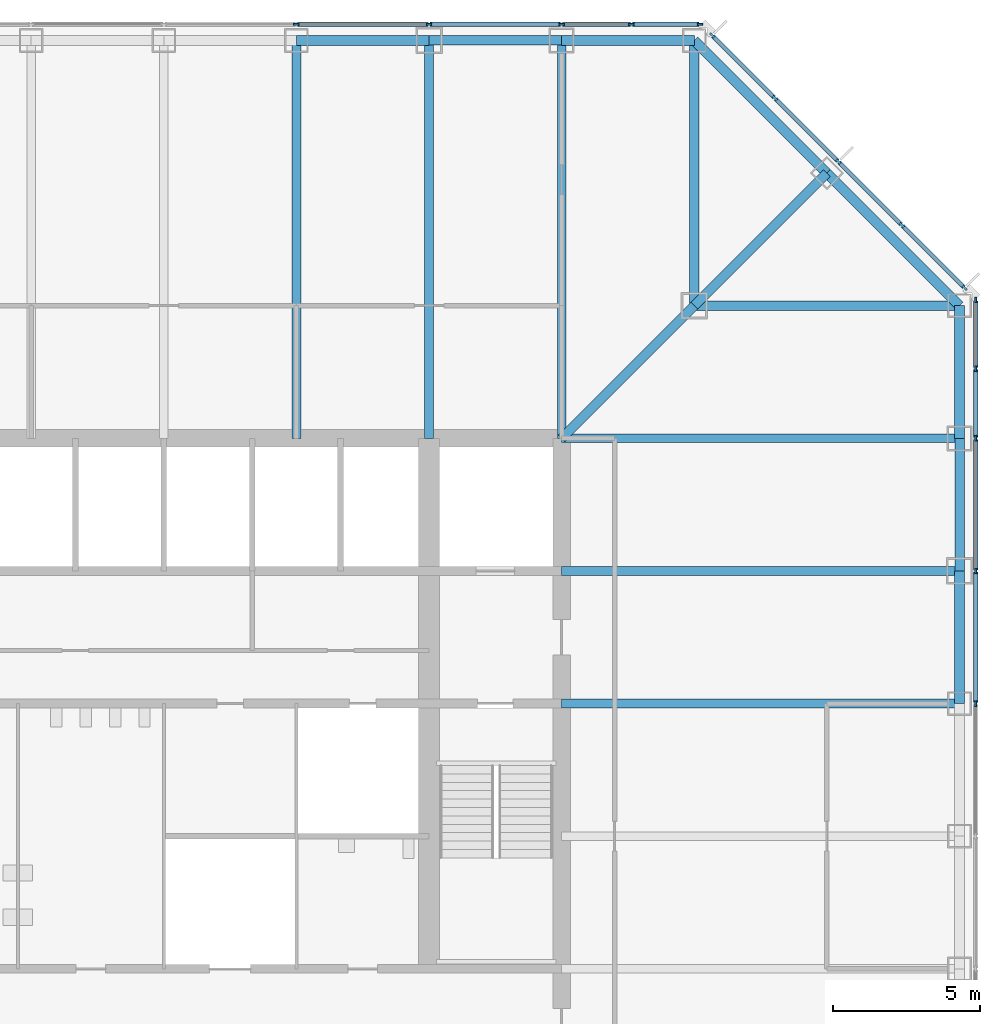
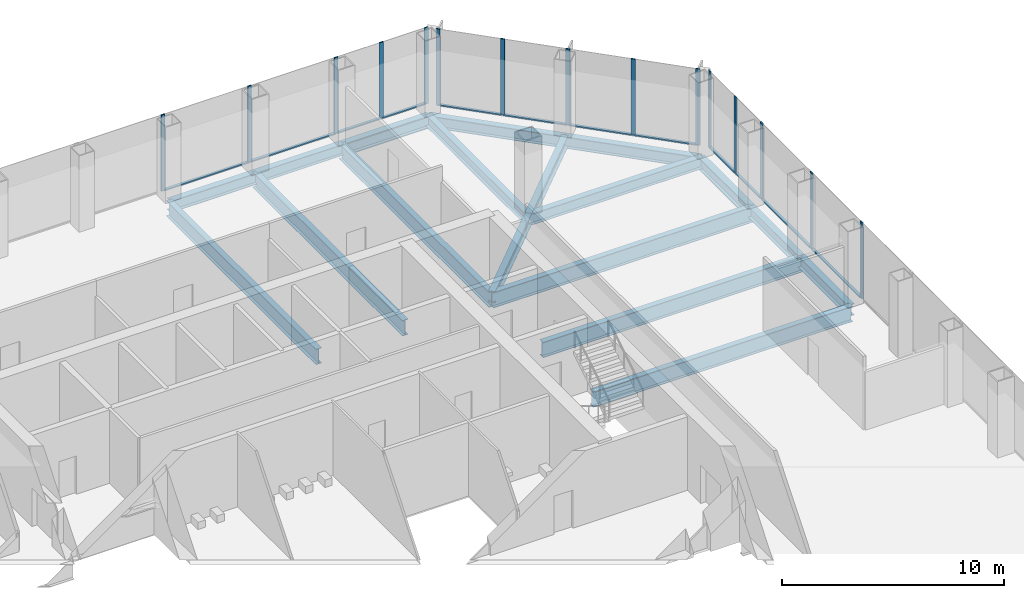
# One storey, part 6 of 12: 27 members, 18 beams, 3 elements without a shape of their own.
"""IFC4 building model written with IfcOpenShell, lengths in metres."""

import ifcopenshell
import ifcopenshell.guid

model = None  # the IFC model being written
_history = None  # IfcOwnerHistory: only IFC2X3 demands one
_inside = {}  # id of a spatial element -> (the spatial element, [elements in it])
_under = {}  # id of a project, library or spatial element -> (it, [spatial elements below it])
_declared = {}  # id of a project -> (the project, [libraries it declares])
_typed = {}  # id of a type object -> (the type object, [elements of that type])
_made_of = {}  # id of a material, layer set ... -> (it, [elements and type objects made of it])


def new_model(schema):
    """Start an empty IFC model of exactly this schema.

    Asked for "IFC4X3", IfcOpenShell would pick the latest addendum, in which some entities
    have other attributes; the version numbers below select the first issue.
    IFC2X3 requires an IfcOwnerHistory on every rooted entity: one is made here for all.
    """
    global model, _history
    if schema == "IFC4X3":
        model = ifcopenshell.file(schema_version=(4, 3, 0, 0))
    else:
        model = ifcopenshell.file(schema=schema)
    _inside.clear()
    _under.clear()
    _declared.clear()
    _typed.clear()
    _made_of.clear()
    _history = None
    if model.schema == "IFC2X3":
        org = make("IfcOrganization", Name="unknown")
        user = make(
            "IfcPersonAndOrganization",
            ThePerson=make("IfcPerson", FamilyName="unknown"),
            TheOrganization=org,
        )
        app = make(
            "IfcApplication",
            ApplicationDeveloper=org,
            Version="unknown",
            ApplicationFullName="unknown",
            ApplicationIdentifier="unknown",
        )
        _history = make(
            "IfcOwnerHistory",
            OwningUser=user,
            OwningApplication=app,
            ChangeAction="ADDED",
            CreationDate=0,
        )
    return model


def make(cls, **values):
    """One entity of the class cls with the attributes given. An attribute that is None is left unset."""
    return model.create_entity(
        cls, **{name: value for name, value in values.items() if value is not None}
    )


def rooted(cls, **values):
    """An entity with a GlobalId (a new one), such as an element, a storey or a relation."""
    return make(cls, GlobalId=ifcopenshell.guid.new(), OwnerHistory=_history, **values)


def si_unit(unit_type, name, prefix=None):
    """IfcSIUnit, for example si_unit("LENGTHUNIT", "METRE", prefix="MILLI")."""
    return make("IfcSIUnit", UnitType=unit_type, Prefix=prefix, Name=name)


def assignment(units):
    """IfcUnitAssignment: the units of a project."""
    return None if units is None else make("IfcUnitAssignment", Units=units)


def point(xyz):
    """IfcCartesianPoint."""
    return None if xyz is None else make("IfcCartesianPoint", Coordinates=xyz)


def direction(xyz):
    """IfcDirection."""
    return None if xyz is None else make("IfcDirection", DirectionRatios=xyz)


def frame(location, z_axis=None, x_axis=None):
    """IfcAxis2Placement3D, a coordinate frame: its origin and axes. An axis left out is left unset."""
    return make(
        "IfcAxis2Placement3D",
        Location=point(location),
        Axis=direction(z_axis),
        RefDirection=direction(x_axis),
    )


def frame_2d(location, x_axis=None):
    """IfcAxis2Placement2D, a coordinate frame in the plane: its origin and x axis."""
    return make(
        "IfcAxis2Placement2D", Location=point(location), RefDirection=direction(x_axis)
    )


def origin():
    """The frame at (0, 0, 0) with its axes left unset."""
    return frame((0.0, 0.0, 0.0))


def origin_2d():
    """The frame at (0, 0) in the plane with its x axis left unset."""
    return frame_2d((0.0, 0.0))


def place(relative_to, where):
    """IfcLocalPlacement: puts the frame where relative to a parent placement (None: the world)."""
    return make(
        "IfcLocalPlacement", PlacementRelTo=relative_to, RelativePlacement=where
    )


def context(
    kind, dimensions, precision=None, world=None, true_north=None, identifier=None
):
    """IfcGeometricRepresentationContext, for example the 3D "Model" context."""
    return make(
        "IfcGeometricRepresentationContext",
        ContextIdentifier=identifier,
        ContextType=kind,
        CoordinateSpaceDimension=dimensions,
        Precision=precision,
        WorldCoordinateSystem=world,
        TrueNorth=true_north,
    )


def subcontext(parent, identifier, kind, view, scale=None):
    """IfcGeometricRepresentationSubContext, for example "Body" below "Model"."""
    return make(
        "IfcGeometricRepresentationSubContext",
        ContextIdentifier=identifier,
        ContextType=kind,
        ParentContext=parent,
        TargetScale=scale,
        TargetView=view,
    )


def project(units=None, contexts=None):
    """IfcProject with its units and contexts."""
    return rooted(
        "IfcProject",
        Name="project",
        RepresentationContexts=contexts,
        UnitsInContext=assignment(units),
    )


def spatial(cls, under=None, at=None, **own):
    """A site, building, storey or space (cls), placed at a placement, below another one or the project."""
    s = rooted(cls, ObjectPlacement=at, **own)
    if under is not None:
        _under.setdefault(under.id(), (under, []))[1].append(s)
    return s


def profile(cls, at=None, kind="AREA", **sizes):
    """A parametric profile (cls). Its sizes go by their IFC names, for example OverallWidth=200.0."""
    return make(cls, ProfileType=kind, Position=at, **sizes)


def rectangle(**sizes):
    """IfcRectangleProfileDef."""
    return profile("IfcRectangleProfileDef", **sizes)


def i_section(**sizes):
    """IfcIShapeProfileDef."""
    return profile("IfcIShapeProfileDef", **sizes)


def extrude(swept, where, along, depth):
    """IfcExtrudedAreaSolid: the profile swept, set in the frame where, extruded along a direction by depth."""
    return make(
        "IfcExtrudedAreaSolid",
        SweptArea=swept,
        Position=where,
        ExtrudedDirection=direction(along),
        Depth=depth,
    )


def shape(context_of_items, identifier, shape_type, items):
    """IfcShapeRepresentation: the items that make up one representation, for example the "Body"."""
    return make(
        "IfcShapeRepresentation",
        ContextOfItems=context_of_items,
        RepresentationIdentifier=identifier,
        RepresentationType=shape_type,
        Items=items,
    )


def material(Name=None, Category=None):
    """IfcMaterial."""
    return make("IfcMaterial", Name=Name, Category=Category)


def material_profile(
    of_material, cross_section, Name=None, Category=None, Priority=None
):
    """IfcMaterialProfile: a cross section and its material."""
    return make(
        "IfcMaterialProfile",
        Name=Name,
        Material=of_material,
        Profile=cross_section,
        Priority=Priority,
        Category=Category,
    )


def profile_set(profiles, Name=None, composite=None):
    """IfcMaterialProfileSet."""
    return make(
        "IfcMaterialProfileSet",
        Name=Name,
        MaterialProfiles=profiles,
        CompositeProfile=composite,
    )


def made_of(thing, what):
    """Note that an element or type object is made of a material, layer set ...; save() writes the relation."""
    if what is not None:
        _made_of.setdefault(what.id(), (what, []))[1].append(thing)
    return thing


def type_object(cls, material=None, **own):
    """A type object (cls), such as IfcWallType, which elements share."""
    return made_of(rooted(cls, **own), material)


def element(
    cls,
    number,
    at=None,
    inside=None,
    cuts=None,
    type_object=None,
    material=None,
    context=None,
    identifier="Body",
    shape_type=None,
    held_by="IfcProductDefinitionShape",
    body=None,
    shapes=None,
    **own,
):
    """One element of the class cls, such as IfcWall. Its Tag is "e" and its number.

    at: its placement. inside: the storey or other place that contains it. cuts: it is an
    opening in that element (IfcRelVoidsElement). A single representation is given by context,
    identifier, shape_type and body (its items); several are given by shapes. held_by: the class
    of the entity that holds the representations. save() writes the other relations.
    """
    e = rooted(cls, Tag="e%d" % number, ObjectPlacement=at, **own)
    if body is not None:
        shapes = [shape(context, identifier, shape_type, body)]
    if shapes is not None:
        e.Representation = make(held_by, Representations=shapes)
    if inside is not None:
        _inside.setdefault(inside.id(), (inside, []))[1].append(e)
    if cuts is not None:
        rooted(
            "IfcRelVoidsElement", RelatingBuildingElement=cuts, RelatedOpeningElement=e
        )
    if type_object is not None:
        _typed.setdefault(type_object.id(), (type_object, []))[1].append(e)
    return made_of(e, material)


def aggregate(whole, parts):
    """IfcRelAggregates: a whole, such as a stair, and the parts it consists of."""
    return rooted("IfcRelAggregates", RelatingObject=whole, RelatedObjects=parts)


def save(model, path):
    """Write the relations noted so far, then the file.

    IfcRelAggregates (storeys below a building ...), IfcRelContainedInSpatialStructure (elements
    in a storey), IfcRelDefinesByType, IfcRelAssociatesMaterial and IfcRelDeclares: one each for
    every whole, place, type object, material and project.
    """
    for whole, parts in _under.values():
        aggregate(whole, parts)
    for where, things in _inside.values():
        rooted(
            "IfcRelContainedInSpatialStructure",
            RelatedElements=things,
            RelatingStructure=where,
        )
    for kind, things in _typed.values():
        rooted("IfcRelDefinesByType", RelatedObjects=things, RelatingType=kind)
    for what, things in _made_of.values():
        rooted("IfcRelAssociatesMaterial", RelatedObjects=things, RelatingMaterial=what)
    for by, libraries in _declared.values():
        rooted("IfcRelDeclares", RelatingContext=by, RelatedDefinitions=libraries)
    model.write(path)


model = new_model("IFC4")

# Units and contexts
model_context = context("Model", 3, precision=1e-05, world=origin(), true_north=direction((0.0, 1.0)))
body_context = subcontext(model_context, "Body", "Model", "MODEL_VIEW")
ifc_project = project(units=[si_unit("LENGTHUNIT", "METRE"), si_unit("AREAUNIT", "SQUARE_METRE"), si_unit("VOLUMEUNIT", "CUBIC_METRE"), si_unit("PLANEANGLEUNIT", "RADIAN"), si_unit("MASSUNIT", "GRAM", prefix="KILO")], contexts=[model_context])

# Site, building, storey
site_placement = place(None, origin())
site = spatial("IfcSite", under=ifc_project, at=site_placement, CompositionType="ELEMENT")
building_placement = place(site_placement, origin())
building = spatial("IfcBuilding", under=site, at=building_placement, Name="Corais Broadcast Tower", CompositionType="ELEMENT")
storey_placement = place(building_placement, frame((0.0, 0.0, 54.199951171875)))
storey = spatial("IfcBuildingStorey", under=building, at=storey_placement, Name="L11", CompositionType="ELEMENT", Elevation=54.199951171875)

# Beams
ifc_material_1 = material(Name="Steel ASTM A572 Grade 50", Category="steel")
ifc_material_profile_1 = material_profile(ifc_material_1, i_section(OverallWidth=0.323974609375, OverallDepth=0.611083984375, WebThickness=0.0126953125, FlangeThickness=0.01904296875, at=origin_2d()), Name="W610x155")
ifc_profile_set_1 = profile_set([ifc_material_profile_1], Name="Steel ASTM A572 Grade 50")
beam_type_1 = type_object("IfcBeamType", Name="Chamfer tie W610x155", PredefinedType="BEAM", material=ifc_profile_set_1)
beam_1_placement = place(storey_placement, frame((49.5, 49.5, -0.46533203125), z_axis=(-0.707106781187, -0.707106781187, 0.0), x_axis=(0.707106781187, -0.707106781187, 0.0)))
element("IfcBeam", 1, at=beam_1_placement, inside=storey, type_object=beam_type_1, Name="B5 M/14 to L/13", PredefinedType="BEAM", context=body_context, shape_type="SweptSolid", body=[
    extrude(i_section(OverallWidth=0.323974609375, OverallDepth=0.611083984375, WebThickness=0.0126953125, FlangeThickness=0.01904296875, at=origin_2d()), origin(), (0.0, 0.0, 1.0), 6.364013671875),
])
ifc_material_2 = material(Name="Steel ASTM A572 Grade 50", Category="steel")
ifc_material_profile_2 = material_profile(ifc_material_2, i_section(OverallWidth=0.323974609375, OverallDepth=0.611083984375, WebThickness=0.0126953125, FlangeThickness=0.01904296875, at=origin_2d()), Name="W610x155")
ifc_profile_set_2 = profile_set([ifc_material_profile_2], Name="Steel ASTM A572 Grade 50")
beam_type_2 = type_object("IfcBeamType", Name="Corner diagonal W610x155", PredefinedType="BEAM", material=ifc_profile_set_2)
beam_2_placement = place(storey_placement, frame((45.0, 45.0, -0.46533203125), z_axis=(-0.707106781187, -0.707106781187, 0.0), x_axis=(0.707106781187, -0.707106781187, 0.0)))
element("IfcBeam", 2, at=beam_2_placement, inside=storey, type_object=beam_type_2, Name="B6 L/13 to K/12", PredefinedType="BEAM", context=body_context, shape_type="SweptSolid", body=[
    extrude(i_section(OverallWidth=0.323974609375, OverallDepth=0.611083984375, WebThickness=0.0126953125, FlangeThickness=0.01904296875, at=origin_2d()), origin(), (0.0, 0.0, 1.0), 6.364013671875),
])
ifc_material_3 = material(Name="Steel ASTM A572 Grade 50", Category="steel")
ifc_material_profile_3 = material_profile(ifc_material_3, i_section(OverallWidth=0.323974609375, OverallDepth=0.611083984375, WebThickness=0.0126953125, FlangeThickness=0.01904296875, at=origin_2d()), Name="W610x155")
ifc_profile_set_3 = profile_set([ifc_material_profile_3], Name="Steel ASTM A572 Grade 50")
beam_type_3 = type_object("IfcBeamType", Name="Corner girder W610x155", PredefinedType="BEAM", material=ifc_profile_set_3)
for number, where, z_axis, x_axis, name in (
    (3, (45.0, 54.0, -0.46533203125), (0.0, -1.0, 0.0), (1.0, 0.0, 0.0), "B4 N/13 to L/13"),
    (4, (54.0, 45.0, -0.46533203125), (-1.0, 0.0, 0.0), (0.0, -1.0, 0.0), "B4 L/15 to L/13"),
):
    element("IfcBeam", number, at=place(storey_placement, frame(where, z_axis=z_axis, x_axis=x_axis)), inside=storey, type_object=beam_type_3, Name=name, PredefinedType="BEAM", context=body_context, shape_type="SweptSolid", body=[
        extrude(i_section(OverallWidth=0.323974609375, OverallDepth=0.611083984375, WebThickness=0.0126953125, FlangeThickness=0.01904296875, at=origin_2d()), origin(), (0.0, 0.0, 1.0), 9.0),
    ])
ifc_material_4 = material(Name="Steel ASTM A572 Grade 50", Category="steel")
ifc_material_profile_4 = material_profile(ifc_material_4, i_section(OverallWidth=0.337890625, OverallDepth=0.677978515625, WebThickness=0.029541015625, FlangeThickness=0.052978515625, at=origin_2d()), Name="W610x415")
ifc_profile_set_4 = profile_set([ifc_material_profile_4], Name="Steel ASTM A572 Grade 50")
beam_type_4 = type_object("IfcBeamType", Name="Corner spandrel W610x415", PredefinedType="BEAM", material=ifc_profile_set_4)
for number, where, z_axis, x_axis, name in (
    (5, (45.0, 54.0, -0.4990234375), (-1.0, 0.0, 0.0), (0.0, -1.0, 0.0), "SB10 N/13 to N/12"),
    (6, (54.0, 40.5, -0.4990234375), (0.0, 1.0, 0.0), (-1.0, 0.0, 0.0), "SB10 K/15 to L/15"),
):
    element("IfcBeam", number, at=place(storey_placement, frame(where, z_axis=z_axis, x_axis=x_axis)), inside=storey, type_object=beam_type_4, Name=name, PredefinedType="BEAM", context=body_context, shape_type="SweptSolid", body=[
        extrude(i_section(OverallWidth=0.337890625, OverallDepth=0.677978515625, WebThickness=0.029541015625, FlangeThickness=0.052978515625, at=origin_2d()), origin(), (0.0, 0.0, 1.0), 4.5),
    ])
ifc_material_5 = material(Name="Steel ASTM A572 Grade 50", Category="steel")
ifc_material_profile_5 = material_profile(ifc_material_5, i_section(OverallWidth=0.2939453125, OverallDepth=0.85107421875, WebThickness=0.01611328125, FlangeThickness=0.02685546875, at=origin_2d()), Name="W840x226")
ifc_profile_set_5 = profile_set([ifc_material_profile_5], Name="Steel ASTM A572 Grade 50")
beam_type_5 = type_object("IfcBeamType", Name="Floor beam W840x226", PredefinedType="BEAM", material=ifc_profile_set_5)
for number, where, z_axis, x_axis, name in (
    (7, (31.5, 54.0, -0.58544921875), (0.0, -1.0, 0.0), (1.0, 0.0, 0.0), "B1 N/10 to K/10"),
    (8, (36.0, 54.0, -0.58544921875), (0.0, -1.0, 0.0), (1.0, 0.0, 0.0), "B1 N/11 to K/11"),
    (9, (40.5, 54.0, -0.58544921875), (0.0, -1.0, 0.0), (1.0, 0.0, 0.0), "B1 N/12 to K/12"),
    (10, (54.0, 31.5, -0.58544921875), (-1.0, 0.0, 0.0), (0.0, -1.0, 0.0), "B1 H/15 to H/12"),
    (11, (54.0, 36.0, -0.58544921875), (-1.0, 0.0, 0.0), (0.0, -1.0, 0.0), "B1 J/15 to J/12"),
    (12, (54.0, 40.5, -0.58544921875), (-1.0, 0.0, 0.0), (0.0, -1.0, 0.0), "B1 K/15 to K/12"),
):
    element("IfcBeam", number, at=place(storey_placement, frame(where, z_axis=z_axis, x_axis=x_axis)), inside=storey, type_object=beam_type_5, Name=name, PredefinedType="BEAM", context=body_context, shape_type="SweptSolid", body=[
        extrude(i_section(OverallWidth=0.2939453125, OverallDepth=0.85107421875, WebThickness=0.01611328125, FlangeThickness=0.02685546875, at=origin_2d()), origin(), (0.0, 0.0, 1.0), 13.5),
    ])

# Curtain wall, members
ifc_material_6 = material(Name="Aluminium and glass", Category="aluminium")
curtain_wall_type = type_object("IfcCurtainWallType", Name="Unitised fritted curtain wall CW1", PredefinedType="NOTDEFINED", material=ifc_material_6)
curtain_wall_1_placement = place(storey_placement, origin())
curtain_wall_1 = element("IfcCurtainWall", 13, at=curtain_wall_1_placement, inside=storey, type_object=curtain_wall_type, Name="CW1 curtain wall L11 4", PredefinedType="NOTDEFINED")
ifc_material_7 = material(Name="Aluminium 6063-T6", Category="aluminium")
ifc_material_profile_6 = material_profile(ifc_material_7, rectangle(XDim=0.06494140625, YDim=0.199951171875, at=origin_2d()), Name="Mullion CW1 65x200")
ifc_profile_set_6 = profile_set([ifc_material_profile_6], Name="Aluminium 6063-T6")
member_type_1 = type_object("IfcMemberType", Name="Mullion CW1 65x200", PredefinedType="MULLION", material=ifc_profile_set_6)
member_1_placement = place(storey_placement, frame((31.5, 54.550048828125, 0.0), z_axis=(0.0, 0.0, 1.0), x_axis=(0.0, 1.0, 0.0)))
member_1 = element("IfcMember", 14, at=member_1_placement, type_object=member_type_1, Name="CW1 mullion 7", PredefinedType="MULLION", context=body_context, shape_type="SweptSolid", body=[
    extrude(rectangle(XDim=0.06494140625, YDim=0.199951171875, at=origin_2d()), origin(), (0.0, 0.0, 1.0), 4.199951171875),
])
member_2_placement = place(storey_placement, frame((36.0, 54.550048828125, 0.0), z_axis=(0.0, 0.0, 1.0), x_axis=(0.0, 1.0, 0.0)))
member_2 = element("IfcMember", 15, at=member_2_placement, type_object=member_type_1, Name="CW1 mullion 8", PredefinedType="MULLION", context=body_context, shape_type="SweptSolid", body=[
    extrude(rectangle(XDim=0.06494140625, YDim=0.199951171875, at=origin_2d()), origin(), (0.0, 0.0, 1.0), 4.199951171875),
])
member_3_placement = place(storey_placement, frame((40.5, 54.550048828125, 0.0), z_axis=(0.0, 0.0, 1.0), x_axis=(0.0, 1.0, 0.0)))
member_3 = element("IfcMember", 16, at=member_3_placement, type_object=member_type_1, Name="CW1 mullion 9", PredefinedType="MULLION", context=body_context, shape_type="SweptSolid", body=[
    extrude(rectangle(XDim=0.06494140625, YDim=0.199951171875, at=origin_2d()), origin(), (0.0, 0.0, 1.0), 4.199951171875),
])
member_4_placement = place(storey_placement, frame((42.864013671875, 54.550048828125, 0.0), z_axis=(0.0, 0.0, 1.0), x_axis=(0.0, 1.0, 0.0)))
member_4 = element("IfcMember", 17, at=member_4_placement, type_object=member_type_1, Name="CW1 mullion 10", PredefinedType="MULLION", context=body_context, shape_type="SweptSolid", body=[
    extrude(rectangle(XDim=0.06494140625, YDim=0.199951171875, at=origin_2d()), origin(), (0.0, 0.0, 1.0), 4.199951171875),
])
member_5_placement = place(storey_placement, frame((45.1953125, 54.550048828125, 0.0), z_axis=(0.0, 0.0, 1.0), x_axis=(0.0, 1.0, 0.0)))
member_5 = element("IfcMember", 18, at=member_5_placement, type_object=member_type_1, Name="CW1 mullion 11", PredefinedType="MULLION", context=body_context, shape_type="SweptSolid", body=[
    extrude(rectangle(XDim=0.06494140625, YDim=0.199951171875, at=origin_2d()), origin(), (0.0, 0.0, 1.0), 4.199951171875),
])

curtain_wall_2_placement = place(storey_placement, origin())
curtain_wall_2 = element("IfcCurtainWall", 19, at=curtain_wall_2_placement, inside=storey, type_object=curtain_wall_type, Name="CW1 curtain wall L11 5", PredefinedType="NOTDEFINED")
member_6_placement = place(storey_placement, frame((45.6044921875, 54.17333984375, 0.0), z_axis=(0.0, 0.0, 1.0), x_axis=(0.707106781187, 0.707106781187, 0.0)))
member_6 = element("IfcMember", 20, at=member_6_placement, type_object=member_type_1, Name="CW1 mullion 1", PredefinedType="MULLION", context=body_context, shape_type="SweptSolid", body=[
    extrude(rectangle(XDim=0.06494140625, YDim=0.199951171875, at=origin_2d()), origin(), (0.0, 0.0, 1.0), 4.199951171875),
])
member_7_placement = place(storey_placement, frame((47.735107421875, 52.042724609375, 0.0), z_axis=(0.0, 0.0, 1.0), x_axis=(0.707106781187, 0.707106781187, 0.0)))
member_7 = element("IfcMember", 21, at=member_7_placement, type_object=member_type_1, Name="CW1 mullion 2", PredefinedType="MULLION", context=body_context, shape_type="SweptSolid", body=[
    extrude(rectangle(XDim=0.06494140625, YDim=0.199951171875, at=origin_2d()), origin(), (0.0, 0.0, 1.0), 4.199951171875),
])
member_8_placement = place(storey_placement, frame((49.888916015625, 49.888916015625, 0.0), z_axis=(0.0, 0.0, 1.0), x_axis=(0.707106781187, 0.707106781187, 0.0)))
member_8 = element("IfcMember", 22, at=member_8_placement, type_object=member_type_1, Name="CW1 mullion 3", PredefinedType="MULLION", context=body_context, shape_type="SweptSolid", body=[
    extrude(rectangle(XDim=0.06494140625, YDim=0.199951171875, at=origin_2d()), origin(), (0.0, 0.0, 1.0), 4.199951171875),
])
member_9_placement = place(storey_placement, frame((52.042724609375, 47.735107421875, 0.0), z_axis=(0.0, 0.0, 1.0), x_axis=(0.707106781187, 0.707106781187, 0.0)))
member_9 = element("IfcMember", 23, at=member_9_placement, type_object=member_type_1, Name="CW1 mullion 4", PredefinedType="MULLION", context=body_context, shape_type="SweptSolid", body=[
    extrude(rectangle(XDim=0.06494140625, YDim=0.199951171875, at=origin_2d()), origin(), (0.0, 0.0, 1.0), 4.199951171875),
])
member_10_placement = place(storey_placement, frame((54.17333984375, 45.6044921875, 0.0), z_axis=(0.0, 0.0, 1.0), x_axis=(0.707106781187, 0.707106781187, 0.0)))
member_10 = element("IfcMember", 24, at=member_10_placement, type_object=member_type_1, Name="CW1 mullion 5", PredefinedType="MULLION", context=body_context, shape_type="SweptSolid", body=[
    extrude(rectangle(XDim=0.06494140625, YDim=0.199951171875, at=origin_2d()), origin(), (0.0, 0.0, 1.0), 4.199951171875),
])

curtain_wall_3_placement = place(storey_placement, origin())
curtain_wall_3 = element("IfcCurtainWall", 25, at=curtain_wall_3_placement, inside=storey, type_object=curtain_wall_type, Name="CW1 curtain wall L11 6", PredefinedType="NOTDEFINED")
member_11_placement = place(storey_placement, frame((54.550048828125, 45.1953125, 0.0), z_axis=(0.0, 0.0, 1.0), x_axis=(1.0, 0.0, 0.0)))
member_11 = element("IfcMember", 26, at=member_11_placement, type_object=member_type_1, Name="CW1 mullion 1", PredefinedType="MULLION", context=body_context, shape_type="SweptSolid", body=[
    extrude(rectangle(XDim=0.06494140625, YDim=0.199951171875, at=origin_2d()), origin(), (0.0, 0.0, 1.0), 4.199951171875),
])
member_12_placement = place(storey_placement, frame((54.550048828125, 42.864013671875, 0.0), z_axis=(0.0, 0.0, 1.0), x_axis=(1.0, 0.0, 0.0)))
member_12 = element("IfcMember", 27, at=member_12_placement, type_object=member_type_1, Name="CW1 mullion 2", PredefinedType="MULLION", context=body_context, shape_type="SweptSolid", body=[
    extrude(rectangle(XDim=0.06494140625, YDim=0.199951171875, at=origin_2d()), origin(), (0.0, 0.0, 1.0), 4.199951171875),
])
member_13_placement = place(storey_placement, frame((54.550048828125, 40.5, 0.0), z_axis=(0.0, 0.0, 1.0), x_axis=(1.0, 0.0, 0.0)))
member_13 = element("IfcMember", 28, at=member_13_placement, type_object=member_type_1, Name="CW1 mullion 3", PredefinedType="MULLION", context=body_context, shape_type="SweptSolid", body=[
    extrude(rectangle(XDim=0.06494140625, YDim=0.199951171875, at=origin_2d()), origin(), (0.0, 0.0, 1.0), 4.199951171875),
])
member_14_placement = place(storey_placement, frame((54.550048828125, 36.0, 0.0), z_axis=(0.0, 0.0, 1.0), x_axis=(1.0, 0.0, 0.0)))
member_14 = element("IfcMember", 29, at=member_14_placement, type_object=member_type_1, Name="CW1 mullion 4", PredefinedType="MULLION", context=body_context, shape_type="SweptSolid", body=[
    extrude(rectangle(XDim=0.06494140625, YDim=0.199951171875, at=origin_2d()), origin(), (0.0, 0.0, 1.0), 4.199951171875),
])
member_15_placement = place(storey_placement, frame((54.550048828125, 31.5, 0.0), z_axis=(0.0, 0.0, 1.0), x_axis=(1.0, 0.0, 0.0)))
member_15 = element("IfcMember", 30, at=member_15_placement, type_object=member_type_1, Name="CW1 mullion 5", PredefinedType="MULLION", context=body_context, shape_type="SweptSolid", body=[
    extrude(rectangle(XDim=0.06494140625, YDim=0.199951171875, at=origin_2d()), origin(), (0.0, 0.0, 1.0), 4.199951171875),
])

# Beams
ifc_material_8 = material(Name="Steel ASTM A572 Grade 50", Category="steel")
ifc_material_profile_7 = material_profile(ifc_material_8, i_section(OverallWidth=0.323974609375, OverallDepth=0.611083984375, WebThickness=0.0126953125, FlangeThickness=0.01904296875, at=origin_2d()), Name="W610x155")
ifc_profile_set_7 = profile_set([ifc_material_profile_7], Name="Steel ASTM A572 Grade 50")
beam_type_6 = type_object("IfcBeamType", Name="Pinned spandrel W610x155", PredefinedType="BEAM", material=ifc_profile_set_7)
for number, where, z_axis, x_axis, name in (
    (31, (40.5, 54.0, -0.46533203125), (-1.0, 0.0, 0.0), (0.0, -1.0, 0.0), "SB6 N/12 to N/11"),
    (32, (54.0, 36.0, -0.46533203125), (0.0, 1.0, 0.0), (-1.0, 0.0, 0.0), "SB6 J/15 to K/15"),
):
    element("IfcBeam", number, at=place(storey_placement, frame(where, z_axis=z_axis, x_axis=x_axis)), inside=storey, type_object=beam_type_6, Name=name, PredefinedType="BEAM", context=body_context, shape_type="SweptSolid", body=[
        extrude(i_section(OverallWidth=0.323974609375, OverallDepth=0.611083984375, WebThickness=0.0126953125, FlangeThickness=0.01904296875, at=origin_2d()), origin(), (0.0, 0.0, 1.0), 4.5),
    ])
ifc_material_9 = material(Name="Steel ASTM A572 Grade 50", Category="steel")
ifc_material_profile_8 = material_profile(ifc_material_9, i_section(OverallWidth=0.3291015625, OverallDepth=0.635009765625, WebThickness=0.017822265625, FlangeThickness=0.031005859375, at=origin_2d()), Name="W610x241")
ifc_profile_set_8 = profile_set([ifc_material_profile_8], Name="Steel ASTM A572 Grade 50")
beam_type_7 = type_object("IfcBeamType", Name="Spandrel W610x241", PredefinedType="BEAM", material=ifc_profile_set_8)
beam_3_placement = place(storey_placement, frame((36.0, 54.0, -0.4775390625), z_axis=(-1.0, 0.0, 0.0), x_axis=(0.0, -1.0, 0.0)))
element("IfcBeam", 33, at=beam_3_placement, inside=storey, type_object=beam_type_7, Name="SB1 N/11 to N/10", PredefinedType="BEAM", context=body_context, shape_type="SweptSolid", body=[
    extrude(i_section(OverallWidth=0.3291015625, OverallDepth=0.635009765625, WebThickness=0.017822265625, FlangeThickness=0.031005859375, at=origin_2d()), origin(), (0.0, 0.0, 1.0), 4.5),
])
beam_4_placement = place(storey_placement, frame((49.5, 49.5, -0.4775390625), z_axis=(-0.707106781187, 0.707106781187, 0.0), x_axis=(-0.707106781187, -0.707106781187, 0.0)))
element("IfcBeam", 34, at=beam_4_placement, inside=storey, type_object=beam_type_7, Name="SB1 M/14 to N/13", PredefinedType="BEAM", context=body_context, shape_type="SweptSolid", body=[
    extrude(i_section(OverallWidth=0.3291015625, OverallDepth=0.635009765625, WebThickness=0.017822265625, FlangeThickness=0.031005859375, at=origin_2d()), origin(), (0.0, 0.0, 1.0), 6.364013671875),
])
beam_5_placement = place(storey_placement, frame((54.0, 31.5, -0.4775390625), z_axis=(0.0, 1.0, 0.0), x_axis=(-1.0, 0.0, 0.0)))
element("IfcBeam", 35, at=beam_5_placement, inside=storey, type_object=beam_type_7, Name="SB1 H/15 to J/15", PredefinedType="BEAM", context=body_context, shape_type="SweptSolid", body=[
    extrude(i_section(OverallWidth=0.3291015625, OverallDepth=0.635009765625, WebThickness=0.017822265625, FlangeThickness=0.031005859375, at=origin_2d()), origin(), (0.0, 0.0, 1.0), 4.5),
])
beam_6_placement = place(storey_placement, frame((54.0, 45.0, -0.4775390625), z_axis=(-0.707106781187, 0.707106781187, 0.0), x_axis=(-0.707106781187, -0.707106781187, 0.0)))
element("IfcBeam", 36, at=beam_6_placement, inside=storey, type_object=beam_type_7, Name="SB1 L/15 to M/14", PredefinedType="BEAM", context=body_context, shape_type="SweptSolid", body=[
    extrude(i_section(OverallWidth=0.3291015625, OverallDepth=0.635009765625, WebThickness=0.017822265625, FlangeThickness=0.031005859375, at=origin_2d()), origin(), (0.0, 0.0, 1.0), 6.364013671875),
])

# Member
ifc_material_10 = material(Name="Aluminium 6063-T6", Category="aluminium")
ifc_material_profile_9 = material_profile(ifc_material_10, rectangle(XDim=0.139892578125, YDim=0.06494140625, at=origin_2d()), Name="Transom CW1 65x140")
ifc_profile_set_9 = profile_set([ifc_material_profile_9], Name="Aluminium 6063-T6")
member_type_2 = type_object("IfcMemberType", Name="Transom CW1 65x140", PredefinedType="USERDEFINED", material=ifc_profile_set_9)
member_16_placement = place(storey_placement, frame((31.532470703125, 54.550048828125, 0.032470703125), z_axis=(1.0, 0.0, 0.0), x_axis=(0.0, 1.0, 0.0)))
member_16 = element("IfcMember", 37, at=member_16_placement, type_object=member_type_2, Name="CW1 transom 7.1", ObjectType="TRANSOM", PredefinedType="USERDEFINED", context=body_context, shape_type="SweptSolid", body=[
    extrude(rectangle(XDim=0.139892578125, YDim=0.06494140625, at=origin_2d()), origin(), (0.0, 0.0, 1.0), 4.43505859375),
])

member_17_placement = place(storey_placement, frame((36.032470703125, 54.550048828125, 0.032470703125), z_axis=(1.0, 0.0, 0.0), x_axis=(0.0, 1.0, 0.0)))
member_17 = element("IfcMember", 38, at=member_17_placement, type_object=member_type_2, Name="CW1 transom 8.1", ObjectType="TRANSOM", PredefinedType="USERDEFINED", context=body_context, shape_type="SweptSolid", body=[
    extrude(rectangle(XDim=0.139892578125, YDim=0.06494140625, at=origin_2d()), origin(), (0.0, 0.0, 1.0), 4.43505859375),
])

member_18_placement = place(storey_placement, frame((40.532470703125, 54.550048828125, 0.032470703125), z_axis=(1.0, 0.0, 0.0), x_axis=(0.0, 1.0, 0.0)))
member_18 = element("IfcMember", 39, at=member_18_placement, type_object=member_type_2, Name="CW1 transom 9.1", ObjectType="TRANSOM", PredefinedType="USERDEFINED", context=body_context, shape_type="SweptSolid", body=[
    extrude(rectangle(XDim=0.139892578125, YDim=0.06494140625, at=origin_2d()), origin(), (0.0, 0.0, 1.0), 2.298828125),
])

member_19_placement = place(storey_placement, frame((42.896484375, 54.550048828125, 0.032470703125), z_axis=(1.0, 0.0, 0.0), x_axis=(0.0, 1.0, 0.0)))
member_19 = element("IfcMember", 40, at=member_19_placement, type_object=member_type_2, Name="CW1 transom 10.1", ObjectType="TRANSOM", PredefinedType="USERDEFINED", context=body_context, shape_type="SweptSolid", body=[
    extrude(rectangle(XDim=0.139892578125, YDim=0.06494140625, at=origin_2d()), origin(), (0.0, 0.0, 1.0), 2.266357421875),
])

aggregate(curtain_wall_1, [member_1, member_2, member_3, member_4, member_5, member_16, member_17, member_18, member_19])

member_20_placement = place(storey_placement, frame((45.62744140625, 54.150390625, 0.032470703125), z_axis=(0.707106781187, -0.707106781187, 0.0), x_axis=(0.707106781187, 0.707106781187, 0.0)))
member_20 = element("IfcMember", 41, at=member_20_placement, type_object=member_type_2, Name="CW1 transom 1.1", ObjectType="TRANSOM", PredefinedType="USERDEFINED", context=body_context, shape_type="SweptSolid", body=[
    extrude(rectangle(XDim=0.139892578125, YDim=0.06494140625, at=origin_2d()), origin(), (0.0, 0.0, 1.0), 2.9482421875),
])

member_21_placement = place(storey_placement, frame((47.758056640625, 52.019775390625, 0.032470703125), z_axis=(0.707106781187, -0.707106781187, 0.0), x_axis=(0.707106781187, 0.707106781187, 0.0)))
member_21 = element("IfcMember", 42, at=member_21_placement, type_object=member_type_2, Name="CW1 transom 2.1", ObjectType="TRANSOM", PredefinedType="USERDEFINED", context=body_context, shape_type="SweptSolid", body=[
    extrude(rectangle(XDim=0.139892578125, YDim=0.06494140625, at=origin_2d()), origin(), (0.0, 0.0, 1.0), 2.98095703125),
])

member_22_placement = place(storey_placement, frame((49.911865234375, 49.865966796875, 0.032470703125), z_axis=(0.707106781187, -0.707106781187, 0.0), x_axis=(0.707106781187, 0.707106781187, 0.0)))
member_22 = element("IfcMember", 43, at=member_22_placement, type_object=member_type_2, Name="CW1 transom 3.1", ObjectType="TRANSOM", PredefinedType="USERDEFINED", context=body_context, shape_type="SweptSolid", body=[
    extrude(rectangle(XDim=0.139892578125, YDim=0.06494140625, at=origin_2d()), origin(), (0.0, 0.0, 1.0), 2.98095703125),
])

member_23_placement = place(storey_placement, frame((52.065673828125, 47.712158203125, 0.032470703125), z_axis=(0.707106781187, -0.707106781187, 0.0), x_axis=(0.707106781187, 0.707106781187, 0.0)))
member_23 = element("IfcMember", 44, at=member_23_placement, type_object=member_type_2, Name="CW1 transom 4.1", ObjectType="TRANSOM", PredefinedType="USERDEFINED", context=body_context, shape_type="SweptSolid", body=[
    extrude(rectangle(XDim=0.139892578125, YDim=0.06494140625, at=origin_2d()), origin(), (0.0, 0.0, 1.0), 2.9482421875),
])

aggregate(curtain_wall_2, [member_6, member_7, member_8, member_9, member_10, member_20, member_21, member_22, member_23])

member_24_placement = place(storey_placement, frame((54.550048828125, 45.162841796875, 0.032470703125), z_axis=(0.0, -1.0, 0.0), x_axis=(1.0, 0.0, 0.0)))
member_24 = element("IfcMember", 45, at=member_24_placement, type_object=member_type_2, Name="CW1 transom 1.1", ObjectType="TRANSOM", PredefinedType="USERDEFINED", context=body_context, shape_type="SweptSolid", body=[
    extrude(rectangle(XDim=0.139892578125, YDim=0.06494140625, at=origin_2d()), origin(), (0.0, 0.0, 1.0), 2.266357421875),
])

member_25_placement = place(storey_placement, frame((54.550048828125, 42.831298828125, 0.032470703125), z_axis=(0.0, -1.0, 0.0), x_axis=(1.0, 0.0, 0.0)))
member_25 = element("IfcMember", 46, at=member_25_placement, type_object=member_type_2, Name="CW1 transom 2.1", ObjectType="TRANSOM", PredefinedType="USERDEFINED", context=body_context, shape_type="SweptSolid", body=[
    extrude(rectangle(XDim=0.139892578125, YDim=0.06494140625, at=origin_2d()), origin(), (0.0, 0.0, 1.0), 2.298828125),
])

member_26_placement = place(storey_placement, frame((54.550048828125, 40.467529296875, 0.032470703125), z_axis=(0.0, -1.0, 0.0), x_axis=(1.0, 0.0, 0.0)))
member_26 = element("IfcMember", 47, at=member_26_placement, type_object=member_type_2, Name="CW1 transom 3.1", ObjectType="TRANSOM", PredefinedType="USERDEFINED", context=body_context, shape_type="SweptSolid", body=[
    extrude(rectangle(XDim=0.139892578125, YDim=0.06494140625, at=origin_2d()), origin(), (0.0, 0.0, 1.0), 4.43505859375),
])

member_27_placement = place(storey_placement, frame((54.550048828125, 35.967529296875, 0.032470703125), z_axis=(0.0, -1.0, 0.0), x_axis=(1.0, 0.0, 0.0)))
member_27 = element("IfcMember", 48, at=member_27_placement, type_object=member_type_2, Name="CW1 transom 4.1", ObjectType="TRANSOM", PredefinedType="USERDEFINED", context=body_context, shape_type="SweptSolid", body=[
    extrude(rectangle(XDim=0.139892578125, YDim=0.06494140625, at=origin_2d()), origin(), (0.0, 0.0, 1.0), 4.43505859375),
])

aggregate(curtain_wall_3, [member_11, member_12, member_13, member_14, member_15, member_24, member_25, member_26, member_27])

save(model, "model.ifc")
